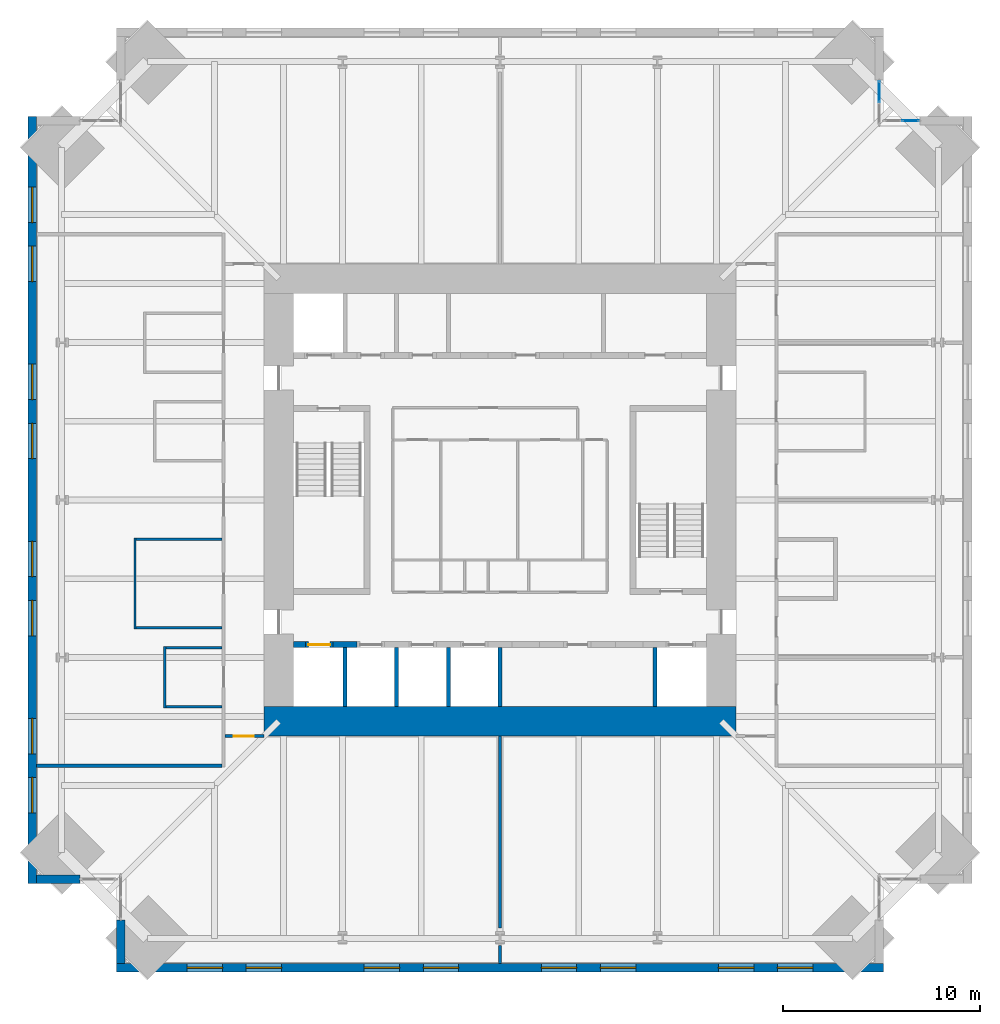
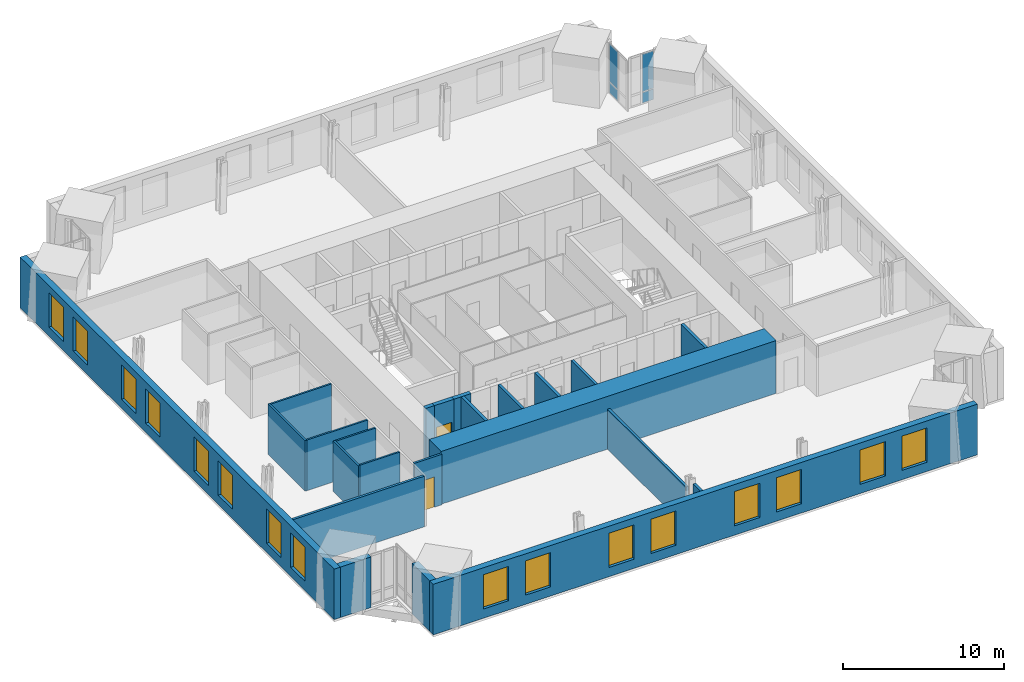
# One storey, part 10 of 15: 23 walls, 16 windows, 4 plates, 2 doors, 18 openings, 2 elements without a shape of their own.
"""IFC4 building model written with IfcOpenShell, lengths in metres."""

from ifc_helpers import new_model, si_unit, direction, frame, frame_2d, origin, origin_2d, place, context, subcontext, project, spatial, rectangle, extrude, material, layer, layer_set, type_object, element, fill, aggregate, save


model = new_model("IFC4")

# Units and contexts
model_context = context("Model", 3, precision=1e-05, world=origin(), true_north=direction((0.0, 1.0)))
body_context = subcontext(model_context, "Body", "Model", "MODEL_VIEW")
ifc_project = project(units=[si_unit("LENGTHUNIT", "METRE"), si_unit("AREAUNIT", "SQUARE_METRE"), si_unit("VOLUMEUNIT", "CUBIC_METRE"), si_unit("PLANEANGLEUNIT", "RADIAN"), si_unit("MASSUNIT", "GRAM", prefix="KILO")], contexts=[model_context])

# Site, building, storey
site_placement = place(None, origin())
site = spatial("IfcSite", under=ifc_project, at=site_placement, CompositionType="ELEMENT")
building_placement = place(site_placement, origin())
building = spatial("IfcBuilding", under=site, at=building_placement, Name="Peilmerk Tower", CompositionType="ELEMENT")
storey_placement = place(building_placement, frame((0.0, 0.0, 213.800048828125)))
storey = spatial("IfcBuildingStorey", under=building, at=storey_placement, Name="L46", CompositionType="ELEMENT", Elevation=213.800048828125)

# Curtain wall, plates
ifc_material_1 = material(Name="Aluminium stick curtain wall", Category="aluminium")
curtain_wall_type = type_object("IfcCurtainWallType", Name="CW4 stick curtain wall, 2250 module", PredefinedType="NOTDEFINED", material=ifc_material_1)
curtain_wall_1_placement = place(storey_placement, origin())
curtain_wall_1 = element("IfcCurtainWall", 1, at=curtain_wall_1_placement, inside=storey, type_object=curtain_wall_type, Name="Curtain wall CW4 NEA L46", PredefinedType="NOTDEFINED")
ifc_material_2 = material(Name="Clear insulated glazing unit", Category="glass")
ifc_layer_1 = layer(ifc_material_2, 0.028076171875)
ifc_layer_set_1 = layer_set([ifc_layer_1], Name="Clear insulated glazing unit")
plate_type = type_object("IfcPlateType", Name="CW4-P 28 glazed panel", PredefinedType="CURTAIN_PANEL", material=ifc_layer_set_1)
plate_1_placement = place(storey_placement, frame((19.27490234375, 20.750244140625, 0.06494140625), z_axis=(0.0, 0.0, 1.0), x_axis=(0.0, 1.0, 0.0)))
plate_1 = element("IfcPlate", 2, at=plate_1_placement, type_object=plate_type, Name="CW4 panel 2.1", PredefinedType="CURTAIN_PANEL", context=body_context, shape_type="SweptSolid", body=[
    extrude(rectangle(XDim=1.046875, YDim=0.028076171875, at=origin_2d()), origin(), (0.0, 0.0, 1.0), 0.802490234375),
])
plate_2_placement = place(storey_placement, frame((19.27490234375, 20.750244140625, 0.932373046875), z_axis=(0.0, 0.0, 1.0), x_axis=(0.0, 1.0, 0.0)))
plate_2 = element("IfcPlate", 3, at=plate_2_placement, type_object=plate_type, Name="CW4 panel 2.2", PredefinedType="CURTAIN_PANEL", context=body_context, shape_type="SweptSolid", body=[
    extrude(rectangle(XDim=1.046875, YDim=0.028076171875, at=origin_2d()), origin(), (0.0, 0.0, 1.0), 2.83251953125),
])
aggregate(curtain_wall_1, [plate_1, plate_2])

curtain_wall_2_placement = place(storey_placement, origin())
curtain_wall_2 = element("IfcCurtainWall", 4, at=curtain_wall_2_placement, inside=storey, type_object=curtain_wall_type, Name="Curtain wall CW4 NEB L46", PredefinedType="NOTDEFINED")
plate_3_placement = place(storey_placement, frame((20.86279296875, 19.27490234375, 0.06494140625), z_axis=(0.0, 0.0, 1.0), x_axis=(1.0, 0.0, 0.0)))
plate_3 = element("IfcPlate", 5, at=plate_3_placement, type_object=plate_type, Name="CW4 panel 2.1", PredefinedType="CURTAIN_PANEL", context=body_context, shape_type="SweptSolid", body=[
    extrude(rectangle(XDim=0.82177734375, YDim=0.028076171875, at=origin_2d()), origin(), (0.0, 0.0, 1.0), 0.802490234375),
])
plate_4_placement = place(storey_placement, frame((20.86279296875, 19.27490234375, 0.932373046875), z_axis=(0.0, 0.0, 1.0), x_axis=(1.0, 0.0, 0.0)))
plate_4 = element("IfcPlate", 6, at=plate_4_placement, type_object=plate_type, Name="CW4 panel 2.2", PredefinedType="CURTAIN_PANEL", context=body_context, shape_type="SweptSolid", body=[
    extrude(rectangle(XDim=0.82177734375, YDim=0.028076171875, at=origin_2d()), origin(), (0.0, 0.0, 1.0), 2.83251953125),
])
aggregate(curtain_wall_2, [plate_3, plate_4])

# Wall, openings, windows
ifc_material_3 = material(Name="Precast concrete C45/55, board-marked finish", Category="concrete")
ifc_layer_2 = layer(ifc_material_3, 0.449951171875)
ifc_layer_set_2 = layer_set([ifc_layer_2], Name="Precast concrete C45/55, board-marked finish")
wall_type_1 = type_object("IfcWallType", Name="EW1 450 precast concrete facade wall, board-marked", PredefinedType="SOLIDWALL", material=ifc_layer_set_2)
wall_1_placement = place(storey_placement, frame((-19.5, -23.77490234375, 0.0), z_axis=(0.0, 0.0, 1.0), x_axis=(1.0, 0.0, 0.0)))
wall_1 = element("IfcWall", 7, at=wall_1_placement, inside=storey, type_object=wall_type_1, Name="Facade wall S L46", PredefinedType="SOLIDWALL", context=body_context, shape_type="SweptSolid", body=[
    extrude(rectangle(XDim=39.0, YDim=0.449951171875, at=frame_2d((19.5, 0.0))), origin(), (0.0, 0.0, 1.0), 3.829833984375),
])
opening_1_placement = place(wall_1_placement, frame((3.60009765625, 0.0, 0.699951171875)))
opening_1 = element("IfcOpeningElement", 8, at=opening_1_placement, cuts=wall_1, Name="Opening W1", PredefinedType="OPENING", context=body_context, shape_type="SweptSolid", body=[
    extrude(rectangle(XDim=1.800048828125, YDim=2.60009765625, at=frame_2d((0.89990234375, 1.300048828125))), frame((0.0, 0.23486328125, 0.0), z_axis=(0.0, -1.0, 0.0), x_axis=(1.0, 0.0, 0.0)), (0.0, 0.0, 1.0), 0.469970703125),
])
opening_2_placement = place(wall_1_placement, frame((6.60009765625, 0.0, 0.699951171875)))
opening_2 = element("IfcOpeningElement", 9, at=opening_2_placement, cuts=wall_1, Name="Opening W1", PredefinedType="OPENING", context=body_context, shape_type="SweptSolid", body=[
    extrude(rectangle(XDim=1.800048828125, YDim=2.60009765625, at=frame_2d((0.89990234375, 1.300048828125))), frame((0.0, 0.23486328125, 0.0), z_axis=(0.0, -1.0, 0.0), x_axis=(1.0, 0.0, 0.0)), (0.0, 0.0, 1.0), 0.469970703125),
])
opening_3_placement = place(wall_1_placement, frame((12.60009765625, 0.0, 0.699951171875)))
opening_3 = element("IfcOpeningElement", 10, at=opening_3_placement, cuts=wall_1, Name="Opening W1", PredefinedType="OPENING", context=body_context, shape_type="SweptSolid", body=[
    extrude(rectangle(XDim=1.800048828125, YDim=2.60009765625, at=frame_2d((0.89990234375, 1.300048828125))), frame((0.0, 0.23486328125, 0.0), z_axis=(0.0, -1.0, 0.0), x_axis=(1.0, 0.0, 0.0)), (0.0, 0.0, 1.0), 0.469970703125),
])
opening_4_placement = place(wall_1_placement, frame((15.60009765625, 0.0, 0.699951171875)))
opening_4 = element("IfcOpeningElement", 11, at=opening_4_placement, cuts=wall_1, Name="Opening W1", PredefinedType="OPENING", context=body_context, shape_type="SweptSolid", body=[
    extrude(rectangle(XDim=1.800048828125, YDim=2.60009765625, at=frame_2d((0.89990234375, 1.300048828125))), frame((0.0, 0.23486328125, 0.0), z_axis=(0.0, -1.0, 0.0), x_axis=(1.0, 0.0, 0.0)), (0.0, 0.0, 1.0), 0.469970703125),
])
opening_5_placement = place(wall_1_placement, frame((21.60009765625, 0.0, 0.699951171875)))
opening_5 = element("IfcOpeningElement", 12, at=opening_5_placement, cuts=wall_1, Name="Opening W1", PredefinedType="OPENING", context=body_context, shape_type="SweptSolid", body=[
    extrude(rectangle(XDim=1.800048828125, YDim=2.60009765625, at=frame_2d((0.89990234375, 1.300048828125))), frame((0.0, 0.23486328125, 0.0), z_axis=(0.0, -1.0, 0.0), x_axis=(1.0, 0.0, 0.0)), (0.0, 0.0, 1.0), 0.469970703125),
])
opening_6_placement = place(wall_1_placement, frame((24.60009765625, 0.0, 0.699951171875)))
opening_6 = element("IfcOpeningElement", 13, at=opening_6_placement, cuts=wall_1, Name="Opening W1", PredefinedType="OPENING", context=body_context, shape_type="SweptSolid", body=[
    extrude(rectangle(XDim=1.800048828125, YDim=2.60009765625, at=frame_2d((0.89990234375, 1.300048828125))), frame((0.0, 0.23486328125, 0.0), z_axis=(0.0, -1.0, 0.0), x_axis=(1.0, 0.0, 0.0)), (0.0, 0.0, 1.0), 0.469970703125),
])
opening_7_placement = place(wall_1_placement, frame((30.60009765625, 0.0, 0.699951171875)))
opening_7 = element("IfcOpeningElement", 14, at=opening_7_placement, cuts=wall_1, Name="Opening W1", PredefinedType="OPENING", context=body_context, shape_type="SweptSolid", body=[
    extrude(rectangle(XDim=1.800048828125, YDim=2.60009765625, at=frame_2d((0.89990234375, 1.300048828125))), frame((0.0, 0.23486328125, 0.0), z_axis=(0.0, -1.0, 0.0), x_axis=(1.0, 0.0, 0.0)), (0.0, 0.0, 1.0), 0.469970703125),
])
opening_8_placement = place(wall_1_placement, frame((33.60009765625, 0.0, 0.699951171875)))
opening_8 = element("IfcOpeningElement", 15, at=opening_8_placement, cuts=wall_1, Name="Opening W1", PredefinedType="OPENING", context=body_context, shape_type="SweptSolid", body=[
    extrude(rectangle(XDim=1.800048828125, YDim=2.60009765625, at=frame_2d((0.89990234375, 1.300048828125))), frame((0.0, 0.23486328125, 0.0), z_axis=(0.0, -1.0, 0.0), x_axis=(1.0, 0.0, 0.0)), (0.0, 0.0, 1.0), 0.469970703125),
])
ifc_material_4 = material(Name="Aluminium frame, clear double glazing", Category="aluminium")
window_type = type_object("IfcWindowType", Name="W1 1800x2600 office window", PartitioningType="SINGLE_PANEL", PredefinedType="WINDOW", material=ifc_material_4)
window_1_placement = place(opening_1_placement, origin())
window_1 = element("IfcWindow", 16, at=window_1_placement, inside=storey, type_object=window_type, Name="Window W1 L46", OverallHeight=2.60009765625, OverallWidth=1.800048828125, PartitioningType="SINGLE_PANEL", PredefinedType="WINDOW", context=body_context, shape_type="SweptSolid", body=[
    extrude(rectangle(XDim=1.800048828125, YDim=2.60009765625, at=frame_2d((0.89990234375, 1.300048828125))), frame((0.0, 0.030029296875, 0.0), z_axis=(0.0, -1.0, 0.0), x_axis=(1.0, 0.0, 0.0)), (0.0, 0.0, 1.0), 0.06005859375),
])
fill(opening_1, window_1)
window_2_placement = place(opening_2_placement, origin())
window_2 = element("IfcWindow", 17, at=window_2_placement, inside=storey, type_object=window_type, Name="Window W1 L46", OverallHeight=2.60009765625, OverallWidth=1.800048828125, PartitioningType="SINGLE_PANEL", PredefinedType="WINDOW", context=body_context, shape_type="SweptSolid", body=[
    extrude(rectangle(XDim=1.800048828125, YDim=2.60009765625, at=frame_2d((0.89990234375, 1.300048828125))), frame((0.0, 0.030029296875, 0.0), z_axis=(0.0, -1.0, 0.0), x_axis=(1.0, 0.0, 0.0)), (0.0, 0.0, 1.0), 0.06005859375),
])
fill(opening_2, window_2)
window_3_placement = place(opening_3_placement, origin())
window_3 = element("IfcWindow", 18, at=window_3_placement, inside=storey, type_object=window_type, Name="Window W1 L46", OverallHeight=2.60009765625, OverallWidth=1.800048828125, PartitioningType="SINGLE_PANEL", PredefinedType="WINDOW", context=body_context, shape_type="SweptSolid", body=[
    extrude(rectangle(XDim=1.800048828125, YDim=2.60009765625, at=frame_2d((0.89990234375, 1.300048828125))), frame((0.0, 0.030029296875, 0.0), z_axis=(0.0, -1.0, 0.0), x_axis=(1.0, 0.0, 0.0)), (0.0, 0.0, 1.0), 0.06005859375),
])
fill(opening_3, window_3)
window_4_placement = place(opening_4_placement, origin())
window_4 = element("IfcWindow", 19, at=window_4_placement, inside=storey, type_object=window_type, Name="Window W1 L46", OverallHeight=2.60009765625, OverallWidth=1.800048828125, PartitioningType="SINGLE_PANEL", PredefinedType="WINDOW", context=body_context, shape_type="SweptSolid", body=[
    extrude(rectangle(XDim=1.800048828125, YDim=2.60009765625, at=frame_2d((0.89990234375, 1.300048828125))), frame((0.0, 0.030029296875, 0.0), z_axis=(0.0, -1.0, 0.0), x_axis=(1.0, 0.0, 0.0)), (0.0, 0.0, 1.0), 0.06005859375),
])
fill(opening_4, window_4)
window_5_placement = place(opening_5_placement, origin())
window_5 = element("IfcWindow", 20, at=window_5_placement, inside=storey, type_object=window_type, Name="Window W1 L46", OverallHeight=2.60009765625, OverallWidth=1.800048828125, PartitioningType="SINGLE_PANEL", PredefinedType="WINDOW", context=body_context, shape_type="SweptSolid", body=[
    extrude(rectangle(XDim=1.800048828125, YDim=2.60009765625, at=frame_2d((0.89990234375, 1.300048828125))), frame((0.0, 0.030029296875, 0.0), z_axis=(0.0, -1.0, 0.0), x_axis=(1.0, 0.0, 0.0)), (0.0, 0.0, 1.0), 0.06005859375),
])
fill(opening_5, window_5)
window_6_placement = place(opening_6_placement, origin())
window_6 = element("IfcWindow", 21, at=window_6_placement, inside=storey, type_object=window_type, Name="Window W1 L46", OverallHeight=2.60009765625, OverallWidth=1.800048828125, PartitioningType="SINGLE_PANEL", PredefinedType="WINDOW", context=body_context, shape_type="SweptSolid", body=[
    extrude(rectangle(XDim=1.800048828125, YDim=2.60009765625, at=frame_2d((0.89990234375, 1.300048828125))), frame((0.0, 0.030029296875, 0.0), z_axis=(0.0, -1.0, 0.0), x_axis=(1.0, 0.0, 0.0)), (0.0, 0.0, 1.0), 0.06005859375),
])
fill(opening_6, window_6)
window_7_placement = place(opening_7_placement, origin())
window_7 = element("IfcWindow", 22, at=window_7_placement, inside=storey, type_object=window_type, Name="Window W1 L46", OverallHeight=2.60009765625, OverallWidth=1.800048828125, PartitioningType="SINGLE_PANEL", PredefinedType="WINDOW", context=body_context, shape_type="SweptSolid", body=[
    extrude(rectangle(XDim=1.800048828125, YDim=2.60009765625, at=frame_2d((0.89990234375, 1.300048828125))), frame((0.0, 0.030029296875, 0.0), z_axis=(0.0, -1.0, 0.0), x_axis=(1.0, 0.0, 0.0)), (0.0, 0.0, 1.0), 0.06005859375),
])
fill(opening_7, window_7)
window_8_placement = place(opening_8_placement, origin())
window_8 = element("IfcWindow", 23, at=window_8_placement, inside=storey, type_object=window_type, Name="Window W1 L46", OverallHeight=2.60009765625, OverallWidth=1.800048828125, PartitioningType="SINGLE_PANEL", PredefinedType="WINDOW", context=body_context, shape_type="SweptSolid", body=[
    extrude(rectangle(XDim=1.800048828125, YDim=2.60009765625, at=frame_2d((0.89990234375, 1.300048828125))), frame((0.0, 0.030029296875, 0.0), z_axis=(0.0, -1.0, 0.0), x_axis=(1.0, 0.0, 0.0)), (0.0, 0.0, 1.0), 0.06005859375),
])
fill(opening_8, window_8)

wall_2_placement = place(storey_placement, frame((-23.77490234375, 19.5, 0.0), z_axis=(0.0, 0.0, 1.0), x_axis=(0.0, -1.0, 0.0)))
wall_2 = element("IfcWall", 24, at=wall_2_placement, inside=storey, type_object=wall_type_1, Name="Facade wall W L46", PredefinedType="SOLIDWALL", context=body_context, shape_type="SweptSolid", body=[
    extrude(rectangle(XDim=39.0, YDim=0.449951171875, at=frame_2d((19.5, 0.0))), origin(), (0.0, 0.0, 1.0), 3.829833984375),
])
opening_9_placement = place(wall_2_placement, frame((3.60009765625, 0.0, 0.699951171875)))
opening_9 = element("IfcOpeningElement", 25, at=opening_9_placement, cuts=wall_2, Name="Opening W1", PredefinedType="OPENING", context=body_context, shape_type="SweptSolid", body=[
    extrude(rectangle(XDim=1.800048828125, YDim=2.60009765625, at=frame_2d((0.89990234375, 1.300048828125))), frame((0.0, 0.23486328125, 0.0), z_axis=(0.0, -1.0, 0.0), x_axis=(1.0, 0.0, 0.0)), (0.0, 0.0, 1.0), 0.469970703125),
])
opening_10_placement = place(wall_2_placement, frame((6.60009765625, 0.0, 0.699951171875)))
opening_10 = element("IfcOpeningElement", 26, at=opening_10_placement, cuts=wall_2, Name="Opening W1", PredefinedType="OPENING", context=body_context, shape_type="SweptSolid", body=[
    extrude(rectangle(XDim=1.800048828125, YDim=2.60009765625, at=frame_2d((0.89990234375, 1.300048828125))), frame((0.0, 0.23486328125, 0.0), z_axis=(0.0, -1.0, 0.0), x_axis=(1.0, 0.0, 0.0)), (0.0, 0.0, 1.0), 0.469970703125),
])
opening_11_placement = place(wall_2_placement, frame((12.60009765625, 0.0, 0.699951171875)))
opening_11 = element("IfcOpeningElement", 27, at=opening_11_placement, cuts=wall_2, Name="Opening W1", PredefinedType="OPENING", context=body_context, shape_type="SweptSolid", body=[
    extrude(rectangle(XDim=1.800048828125, YDim=2.60009765625, at=frame_2d((0.89990234375, 1.300048828125))), frame((0.0, 0.23486328125, 0.0), z_axis=(0.0, -1.0, 0.0), x_axis=(1.0, 0.0, 0.0)), (0.0, 0.0, 1.0), 0.469970703125),
])
opening_12_placement = place(wall_2_placement, frame((15.60009765625, 0.0, 0.699951171875)))
opening_12 = element("IfcOpeningElement", 28, at=opening_12_placement, cuts=wall_2, Name="Opening W1", PredefinedType="OPENING", context=body_context, shape_type="SweptSolid", body=[
    extrude(rectangle(XDim=1.800048828125, YDim=2.60009765625, at=frame_2d((0.89990234375, 1.300048828125))), frame((0.0, 0.23486328125, 0.0), z_axis=(0.0, -1.0, 0.0), x_axis=(1.0, 0.0, 0.0)), (0.0, 0.0, 1.0), 0.469970703125),
])
opening_13_placement = place(wall_2_placement, frame((21.60009765625, 0.0, 0.699951171875)))
opening_13 = element("IfcOpeningElement", 29, at=opening_13_placement, cuts=wall_2, Name="Opening W1", PredefinedType="OPENING", context=body_context, shape_type="SweptSolid", body=[
    extrude(rectangle(XDim=1.800048828125, YDim=2.60009765625, at=frame_2d((0.89990234375, 1.300048828125))), frame((0.0, 0.23486328125, 0.0), z_axis=(0.0, -1.0, 0.0), x_axis=(1.0, 0.0, 0.0)), (0.0, 0.0, 1.0), 0.469970703125),
])
opening_14_placement = place(wall_2_placement, frame((24.60009765625, 0.0, 0.699951171875)))
opening_14 = element("IfcOpeningElement", 30, at=opening_14_placement, cuts=wall_2, Name="Opening W1", PredefinedType="OPENING", context=body_context, shape_type="SweptSolid", body=[
    extrude(rectangle(XDim=1.800048828125, YDim=2.60009765625, at=frame_2d((0.89990234375, 1.300048828125))), frame((0.0, 0.23486328125, 0.0), z_axis=(0.0, -1.0, 0.0), x_axis=(1.0, 0.0, 0.0)), (0.0, 0.0, 1.0), 0.469970703125),
])
opening_15_placement = place(wall_2_placement, frame((30.60009765625, 0.0, 0.699951171875)))
opening_15 = element("IfcOpeningElement", 31, at=opening_15_placement, cuts=wall_2, Name="Opening W1", PredefinedType="OPENING", context=body_context, shape_type="SweptSolid", body=[
    extrude(rectangle(XDim=1.800048828125, YDim=2.60009765625, at=frame_2d((0.89990234375, 1.300048828125))), frame((0.0, 0.23486328125, 0.0), z_axis=(0.0, -1.0, 0.0), x_axis=(1.0, 0.0, 0.0)), (0.0, 0.0, 1.0), 0.469970703125),
])
opening_16_placement = place(wall_2_placement, frame((33.60009765625, 0.0, 0.699951171875)))
opening_16 = element("IfcOpeningElement", 32, at=opening_16_placement, cuts=wall_2, Name="Opening W1", PredefinedType="OPENING", context=body_context, shape_type="SweptSolid", body=[
    extrude(rectangle(XDim=1.800048828125, YDim=2.60009765625, at=frame_2d((0.89990234375, 1.300048828125))), frame((0.0, 0.23486328125, 0.0), z_axis=(0.0, -1.0, 0.0), x_axis=(1.0, 0.0, 0.0)), (0.0, 0.0, 1.0), 0.469970703125),
])
window_9_placement = place(opening_9_placement, origin())
window_9 = element("IfcWindow", 33, at=window_9_placement, inside=storey, type_object=window_type, Name="Window W1 L46", OverallHeight=2.60009765625, OverallWidth=1.800048828125, PartitioningType="SINGLE_PANEL", PredefinedType="WINDOW", context=body_context, shape_type="SweptSolid", body=[
    extrude(rectangle(XDim=1.800048828125, YDim=2.60009765625, at=frame_2d((0.89990234375, 1.300048828125))), frame((0.0, 0.030029296875, 0.0), z_axis=(0.0, -1.0, 0.0), x_axis=(1.0, 0.0, 0.0)), (0.0, 0.0, 1.0), 0.06005859375),
])
fill(opening_9, window_9)
window_10_placement = place(opening_10_placement, origin())
window_10 = element("IfcWindow", 34, at=window_10_placement, inside=storey, type_object=window_type, Name="Window W1 L46", OverallHeight=2.60009765625, OverallWidth=1.800048828125, PartitioningType="SINGLE_PANEL", PredefinedType="WINDOW", context=body_context, shape_type="SweptSolid", body=[
    extrude(rectangle(XDim=1.800048828125, YDim=2.60009765625, at=frame_2d((0.89990234375, 1.300048828125))), frame((0.0, 0.030029296875, 0.0), z_axis=(0.0, -1.0, 0.0), x_axis=(1.0, 0.0, 0.0)), (0.0, 0.0, 1.0), 0.06005859375),
])
fill(opening_10, window_10)
window_11_placement = place(opening_11_placement, origin())
window_11 = element("IfcWindow", 35, at=window_11_placement, inside=storey, type_object=window_type, Name="Window W1 L46", OverallHeight=2.60009765625, OverallWidth=1.800048828125, PartitioningType="SINGLE_PANEL", PredefinedType="WINDOW", context=body_context, shape_type="SweptSolid", body=[
    extrude(rectangle(XDim=1.800048828125, YDim=2.60009765625, at=frame_2d((0.89990234375, 1.300048828125))), frame((0.0, 0.030029296875, 0.0), z_axis=(0.0, -1.0, 0.0), x_axis=(1.0, 0.0, 0.0)), (0.0, 0.0, 1.0), 0.06005859375),
])
fill(opening_11, window_11)
window_12_placement = place(opening_12_placement, origin())
window_12 = element("IfcWindow", 36, at=window_12_placement, inside=storey, type_object=window_type, Name="Window W1 L46", OverallHeight=2.60009765625, OverallWidth=1.800048828125, PartitioningType="SINGLE_PANEL", PredefinedType="WINDOW", context=body_context, shape_type="SweptSolid", body=[
    extrude(rectangle(XDim=1.800048828125, YDim=2.60009765625, at=frame_2d((0.89990234375, 1.300048828125))), frame((0.0, 0.030029296875, 0.0), z_axis=(0.0, -1.0, 0.0), x_axis=(1.0, 0.0, 0.0)), (0.0, 0.0, 1.0), 0.06005859375),
])
fill(opening_12, window_12)
window_13_placement = place(opening_13_placement, origin())
window_13 = element("IfcWindow", 37, at=window_13_placement, inside=storey, type_object=window_type, Name="Window W1 L46", OverallHeight=2.60009765625, OverallWidth=1.800048828125, PartitioningType="SINGLE_PANEL", PredefinedType="WINDOW", context=body_context, shape_type="SweptSolid", body=[
    extrude(rectangle(XDim=1.800048828125, YDim=2.60009765625, at=frame_2d((0.89990234375, 1.300048828125))), frame((0.0, 0.030029296875, 0.0), z_axis=(0.0, -1.0, 0.0), x_axis=(1.0, 0.0, 0.0)), (0.0, 0.0, 1.0), 0.06005859375),
])
fill(opening_13, window_13)
window_14_placement = place(opening_14_placement, origin())
window_14 = element("IfcWindow", 38, at=window_14_placement, inside=storey, type_object=window_type, Name="Window W1 L46", OverallHeight=2.60009765625, OverallWidth=1.800048828125, PartitioningType="SINGLE_PANEL", PredefinedType="WINDOW", context=body_context, shape_type="SweptSolid", body=[
    extrude(rectangle(XDim=1.800048828125, YDim=2.60009765625, at=frame_2d((0.89990234375, 1.300048828125))), frame((0.0, 0.030029296875, 0.0), z_axis=(0.0, -1.0, 0.0), x_axis=(1.0, 0.0, 0.0)), (0.0, 0.0, 1.0), 0.06005859375),
])
fill(opening_14, window_14)
window_15_placement = place(opening_15_placement, origin())
window_15 = element("IfcWindow", 39, at=window_15_placement, inside=storey, type_object=window_type, Name="Window W1 L46", OverallHeight=2.60009765625, OverallWidth=1.800048828125, PartitioningType="SINGLE_PANEL", PredefinedType="WINDOW", context=body_context, shape_type="SweptSolid", body=[
    extrude(rectangle(XDim=1.800048828125, YDim=2.60009765625, at=frame_2d((0.89990234375, 1.300048828125))), frame((0.0, 0.030029296875, 0.0), z_axis=(0.0, -1.0, 0.0), x_axis=(1.0, 0.0, 0.0)), (0.0, 0.0, 1.0), 0.06005859375),
])
fill(opening_15, window_15)
window_16_placement = place(opening_16_placement, origin())
window_16 = element("IfcWindow", 40, at=window_16_placement, inside=storey, type_object=window_type, Name="Window W1 L46", OverallHeight=2.60009765625, OverallWidth=1.800048828125, PartitioningType="SINGLE_PANEL", PredefinedType="WINDOW", context=body_context, shape_type="SweptSolid", body=[
    extrude(rectangle(XDim=1.800048828125, YDim=2.60009765625, at=frame_2d((0.89990234375, 1.300048828125))), frame((0.0, 0.030029296875, 0.0), z_axis=(0.0, -1.0, 0.0), x_axis=(1.0, 0.0, 0.0)), (0.0, 0.0, 1.0), 0.06005859375),
])
fill(opening_16, window_16)

# Walls
for number, where, z_axis, x_axis, name in (
    (41, (-19.27490234375, -21.353759765625, 0.0), (0.0, 0.0, 1.0), (0.0, -1.0, 0.0), "Facade wall SWA L46"),
    (42, (-21.353759765625, -19.27490234375, 0.0), (0.0, 0.0, 1.0), (-1.0, 0.0, 0.0), "Facade wall SWB L46"),
):
    element("IfcWall", number, at=place(storey_placement, frame(where, z_axis=z_axis, x_axis=x_axis)), inside=storey, type_object=wall_type_1, Name=name, PredefinedType="SOLIDWALL", context=body_context, shape_type="SweptSolid", body=[
        extrude(rectangle(XDim=2.1962890625, YDim=0.449951171875, at=frame_2d((1.09814453125, 0.0))), origin(), (0.0, 0.0, 1.0), 3.829833984375),
    ])

# Wall, opening, door
ifc_material_5 = material(Name="Calcium silicate block", Category="masonry")
ifc_layer_3 = layer(ifc_material_5, 0.14990234375)
ifc_layer_set_3 = layer_set([ifc_layer_3], Name="Calcium silicate block")
wall_type_2 = type_object("IfcWallType", Name="IW1 150 corridor partition, EI 60", PredefinedType="PARTITIONING", material=ifc_layer_set_3)
wall_3_placement = place(storey_placement, frame((-12.0, -12.0, 0.0), z_axis=(0.0, 0.0, 1.0), x_axis=(-1.0, 0.0, 0.0)))
wall_3 = element("IfcWall", 43, at=wall_3_placement, inside=storey, type_object=wall_type_2, Name="Corridor wall SW L46", PredefinedType="PARTITIONING", context=body_context, shape_type="SweptSolid", body=[
    extrude(rectangle(XDim=1.97509765625, YDim=0.14990234375, at=frame_2d((0.987548828125, 0.0))), origin(), (0.0, 0.0, 1.0), 3.829833984375),
])
opening_17_placement = place(wall_3_placement, frame((0.52490234375, 0.0, 0.0)))
opening_17 = element("IfcOpeningElement", 44, at=opening_17_placement, cuts=wall_3, Name="Opening D1", PredefinedType="OPENING", context=body_context, shape_type="SweptSolid", body=[
    extrude(rectangle(XDim=1.0, YDim=2.300048828125, at=frame_2d((0.5, 1.14990234375))), frame((0.0, 0.0849609375, 0.0), z_axis=(0.0, -1.0, 0.0), x_axis=(1.0, 0.0, 0.0)), (0.0, 0.0, 1.0), 0.169921875),
])
ifc_material_6 = material(Name="Timber door in steel frame", Category="steel")
door_type_1 = type_object("IfcDoorType", Name="D1 1000x2300 room door, EI2 30", OperationType="SINGLE_SWING_LEFT", PredefinedType="DOOR", material=ifc_material_6)
door_1_placement = place(opening_17_placement, origin())
door_1 = element("IfcDoor", 45, at=door_1_placement, inside=storey, type_object=door_type_1, Name="Door Office L46", OperationType="SINGLE_SWING_LEFT", OverallHeight=2.300048828125, OverallWidth=1.0, PredefinedType="DOOR", context=body_context, shape_type="SweptSolid", body=[
    extrude(rectangle(XDim=1.0, YDim=2.300048828125, at=frame_2d((0.5, 1.14990234375))), frame((0.0, 0.02490234375, 0.0), z_axis=(0.0, -1.0, 0.0), x_axis=(1.0, 0.0, 0.0)), (0.0, 0.0, 1.0), 0.050048828125),
])
fill(opening_17, door_1)

# Walls
ifc_material_7 = material(Name="Plasterboard on steel studs, double boarded with mineral wool", Category="steel")
ifc_layer_4 = layer(ifc_material_7, 0.125)
ifc_layer_set_4 = layer_set([ifc_layer_4], Name="Plasterboard on steel studs, double boarded with mineral wool")
wall_type_3 = type_object("IfcWallType", Name="IW7 125 acoustic partition, EI 30", PredefinedType="PARTITIONING", material=ifc_layer_set_4)
wall_4_placement = place(storey_placement, frame((-18.550048828125, -6.5625, 0.0), z_axis=(0.0, 0.0, 1.0), x_axis=(0.0, 1.0, 0.0)))
element("IfcWall", 46, at=wall_4_placement, inside=storey, type_object=wall_type_3, Name="Acoustic partition Meeting room L46", PredefinedType="PARTITIONING", context=body_context, shape_type="SweptSolid", body=[
    extrude(rectangle(XDim=4.625, YDim=0.125, at=frame_2d((2.3125, 0.0))), origin(), (0.0, 0.0, 1.0), 3.829833984375),
])
for number, where, z_axis, x_axis, name in (
    (47, (-14.125, -6.5, 0.0), (0.0, 0.0, 1.0), (-1.0, 0.0, 0.0), "Acoustic partition Meeting room L46"),
    (48, (-14.125, -2.0, 0.0), (0.0, 0.0, 1.0), (-1.0, 0.0, 0.0), "Acoustic partition Meeting room L46"),
):
    element("IfcWall", number, at=place(storey_placement, frame(where, z_axis=z_axis, x_axis=x_axis)), inside=storey, type_object=wall_type_3, Name=name, PredefinedType="PARTITIONING", context=body_context, shape_type="SweptSolid", body=[
        extrude(rectangle(XDim=4.362548828125, YDim=0.125, at=frame_2d((2.18115234375, 0.0))), origin(), (0.0, 0.0, 1.0), 3.829833984375),
    ])
wall_5_placement = place(storey_placement, frame((-17.050048828125, -10.5625, 0.0), z_axis=(0.0, 0.0, 1.0), x_axis=(0.0, 1.0, 0.0)))
element("IfcWall", 49, at=wall_5_placement, inside=storey, type_object=wall_type_3, Name="Acoustic partition Quiet room L46", PredefinedType="PARTITIONING", context=body_context, shape_type="SweptSolid", body=[
    extrude(rectangle(XDim=3.125, YDim=0.125, at=frame_2d((1.5625, 0.0))), origin(), (0.0, 0.0, 1.0), 3.829833984375),
])
for number, where, z_axis, x_axis, name in (
    (50, (-14.125, -10.5, 0.0), (0.0, 0.0, 1.0), (-1.0, 0.0, 0.0), "Acoustic partition Quiet room L46"),
    (51, (-14.125, -7.5, 0.0), (0.0, 0.0, 1.0), (-1.0, 0.0, 0.0), "Acoustic partition Quiet room L46"),
):
    element("IfcWall", number, at=place(storey_placement, frame(where, z_axis=z_axis, x_axis=x_axis)), inside=storey, type_object=wall_type_3, Name=name, PredefinedType="PARTITIONING", context=body_context, shape_type="SweptSolid", body=[
        extrude(rectangle(XDim=2.862548828125, YDim=0.125, at=frame_2d((1.43115234375, 0.0))), origin(), (0.0, 0.0, 1.0), 3.829833984375),
    ])
ifc_layer_5 = layer(ifc_material_5, 0.175048828125)
ifc_layer_set_5 = layer_set([ifc_layer_5], Name="Calcium silicate block")
wall_type_4 = type_object("IfcWallType", Name="IW8 175 tenant separating wall, EI 60", PredefinedType="PARTITIONING", material=ifc_layer_set_5)
wall_6_placement = place(storey_placement, frame((-14.125, -13.5, 0.0), z_axis=(0.0, 0.0, 1.0), x_axis=(-1.0, 0.0, 0.0)))
element("IfcWall", 52, at=wall_6_placement, inside=storey, type_object=wall_type_4, Name="Tenant separating wall SW L46", PredefinedType="PARTITIONING", context=body_context, shape_type="SweptSolid", body=[
    extrude(rectangle(XDim=9.425048828125, YDim=0.175048828125, at=frame_2d((4.71240234375, 0.0))), origin(), (0.0, 0.0, 1.0), 3.829833984375),
])
wall_7_placement = place(storey_placement, frame((0.0, -12.0, 0.0), z_axis=(0.0, 0.0, 1.0), x_axis=(0.0, -1.0, 0.0)))
element("IfcWall", 53, at=wall_7_placement, inside=storey, type_object=wall_type_4, Name="Tenant separating wall S1 L46", PredefinedType="PARTITIONING", context=body_context, shape_type="SweptSolid", body=[
    extrude(rectangle(XDim=9.75048828125, YDim=0.175048828125, at=frame_2d((4.875244140625, 0.0))), origin(), (0.0, 0.0, 1.0), 3.0400390625),
])
wall_8_placement = place(storey_placement, frame((0.0, -22.6396484375, 0.0), z_axis=(0.0, 0.0, 1.0), x_axis=(0.0, -1.0, 0.0)))
element("IfcWall", 54, at=wall_8_placement, inside=storey, type_object=wall_type_4, Name="Tenant separating wall S1b L46", PredefinedType="PARTITIONING", context=body_context, shape_type="SweptSolid", body=[
    extrude(rectangle(XDim=0.910400390625, YDim=0.175048828125, at=frame_2d((0.455078125, 0.0))), origin(), (0.0, 0.0, 1.0), 3.829833984375),
])
ifc_layer_6 = layer(ifc_material_5, 0.199951171875)
ifc_layer_set_6 = layer_set([ifc_layer_6], Name="Calcium silicate block")
wall_type_5 = type_object("IfcWallType", Name="SH1 200 shaft dividing wall, EI 120", PredefinedType="PARTITIONING", material=ifc_layer_set_6)
for number, where, z_axis, x_axis, name in (
    (55, (-7.875, -10.5, 0.0), (0.0, 0.0, 1.0), (0.0, 1.0, 0.0), "Shaft wall S C4 L46"),
    (56, (-5.25, -10.5, 0.0), (0.0, 0.0, 1.0), (0.0, 1.0, 0.0), "Shaft wall S C3 L46"),
    (57, (-2.625, -10.5, 0.0), (0.0, 0.0, 1.0), (0.0, 1.0, 0.0), "Shaft wall S C2 L46"),
    (58, (0.0, -10.5, 0.0), (0.0, 0.0, 1.0), (0.0, 1.0, 0.0), "Shaft wall S C1 L46"),
    (59, (7.875, -10.5, 0.0), (0.0, 0.0, 1.0), (0.0, 1.0, 0.0), "Shaft wall S B1 L46"),
):
    element("IfcWall", number, at=place(storey_placement, frame(where, z_axis=z_axis, x_axis=x_axis)), inside=storey, type_object=wall_type_5, Name=name, PredefinedType="PARTITIONING", context=body_context, shape_type="SweptSolid", body=[
        extrude(rectangle(XDim=3.0, YDim=0.199951171875, at=frame_2d((1.5, 0.0))), origin(), (0.0, 0.0, 1.0), 4.0),
    ])

# Wall, opening, door
ifc_layer_7 = layer(ifc_material_5, 0.300048828125)
ifc_layer_set_7 = layer_set([ifc_layer_7], Name="Calcium silicate block")
wall_type_6 = type_object("IfcWallType", Name="SH2 300 lift landing door panel, EI 120", PredefinedType="PARTITIONING", material=ifc_layer_set_7)
wall_9_placement = place(storey_placement, frame((-9.887451171875, -7.35009765625, 0.0), z_axis=(0.0, 0.0, 1.0), x_axis=(1.0, 0.0, 0.0)))
wall_9 = element("IfcWall", 60, at=wall_9_placement, inside=storey, type_object=wall_type_6, Name="Lift door panel S C4 L46", PredefinedType="PARTITIONING", context=body_context, shape_type="SweptSolid", body=[
    extrude(rectangle(XDim=1.39990234375, YDim=0.300048828125, at=frame_2d((0.699951171875, 0.0))), origin(), (0.0, 0.0, 1.0), 4.0),
])
opening_18_placement = place(wall_9_placement, frame((0.14990234375, 0.0, 0.0)))
opening_18 = element("IfcOpeningElement", 61, at=opening_18_placement, cuts=wall_9, Name="Opening LD1", PredefinedType="OPENING", context=body_context, shape_type="SweptSolid", body=[
    extrude(rectangle(XDim=1.10009765625, YDim=2.300048828125, at=frame_2d((0.550048828125, 1.14990234375))), frame((0.0, 0.159912109375, 0.0), z_axis=(0.0, -1.0, 0.0), x_axis=(1.0, 0.0, 0.0)), (0.0, 0.0, 1.0), 0.320068359375),
])
ifc_material_8 = material(Name="Stainless steel landing door", Category="steel")
door_type_2 = type_object("IfcDoorType", Name="LD1 1100x2300 lift landing door, sliding, EI2 60", OperationType="SLIDING_TO_LEFT", PredefinedType="DOOR", material=ifc_material_8)
door_2_placement = place(opening_18_placement, origin())
door_2 = element("IfcDoor", 62, at=door_2_placement, inside=storey, type_object=door_type_2, Name="Lift landing door C4 L46", OperationType="SLIDING_TO_LEFT", OverallHeight=2.300048828125, OverallWidth=1.10009765625, PredefinedType="DOOR", context=body_context, shape_type="SweptSolid", body=[
    extrude(rectangle(XDim=1.10009765625, YDim=2.300048828125, at=frame_2d((0.550048828125, 1.14990234375))), frame((0.0, 0.02490234375, 0.0), z_axis=(0.0, -1.0, 0.0), x_axis=(1.0, 0.0, 0.0)), (0.0, 0.0, 1.0), 0.050048828125),
])
fill(opening_18, door_2)

# Walls
ifc_material_9 = material(Name="Concrete C55/67", Category="concrete")
ifc_layer_8 = layer(ifc_material_9, 1.5)
ifc_layer_set_8 = layer_set([ifc_layer_8], Name="Concrete C55/67")
wall_type_7 = type_object("IfcWallType", Name="SW1 1500 core wall", PredefinedType="SHEAR", material=ifc_layer_set_8)
wall_10_placement = place(storey_placement, frame((12.0, -11.25, 0.0), z_axis=(0.0, 0.0, 1.0), x_axis=(-1.0, 0.0, 0.0)))
element("IfcWall", 63, at=wall_10_placement, inside=storey, type_object=wall_type_7, Name="Core wall S L46", PredefinedType="SHEAR", context=body_context, shape_type="SweptSolid", body=[
    extrude(rectangle(XDim=24.0, YDim=1.5, at=frame_2d((12.0, 0.0))), origin(), (0.0, 0.0, 1.0), 4.0),
])
ifc_layer_9 = layer(ifc_material_9, 0.300048828125)
ifc_layer_set_9 = layer_set([ifc_layer_9], Name="Concrete C55/67")
wall_type_8 = type_object("IfcWallType", Name="SW2 300 lift bank pier", PredefinedType="SHEAR", material=ifc_layer_set_9)
wall_11_placement = place(storey_placement, frame((-10.5, -7.35009765625, 0.0), z_axis=(0.0, 0.0, 1.0), x_axis=(1.0, 0.0, 0.0)))
element("IfcWall", 64, at=wall_11_placement, inside=storey, type_object=wall_type_8, Name="Lift bank pier S L46", PredefinedType="SHEAR", context=body_context, shape_type="SweptSolid", body=[
    extrude(rectangle(XDim=0.612548828125, YDim=0.300048828125, at=frame_2d((0.30615234375, 0.0))), origin(), (0.0, 0.0, 1.0), 4.0),
])
wall_12_placement = place(storey_placement, frame((-8.487548828125, -7.35009765625, 0.0), z_axis=(0.0, 0.0, 1.0), x_axis=(1.0, 0.0, 0.0)))
element("IfcWall", 65, at=wall_12_placement, inside=storey, type_object=wall_type_8, Name="Lift bank pier S L46", PredefinedType="SHEAR", context=body_context, shape_type="SweptSolid", body=[
    extrude(rectangle(XDim=1.22509765625, YDim=0.300048828125, at=frame_2d((0.612548828125, 0.0))), origin(), (0.0, 0.0, 1.0), 4.0),
])

save(model, "model.ifc")
